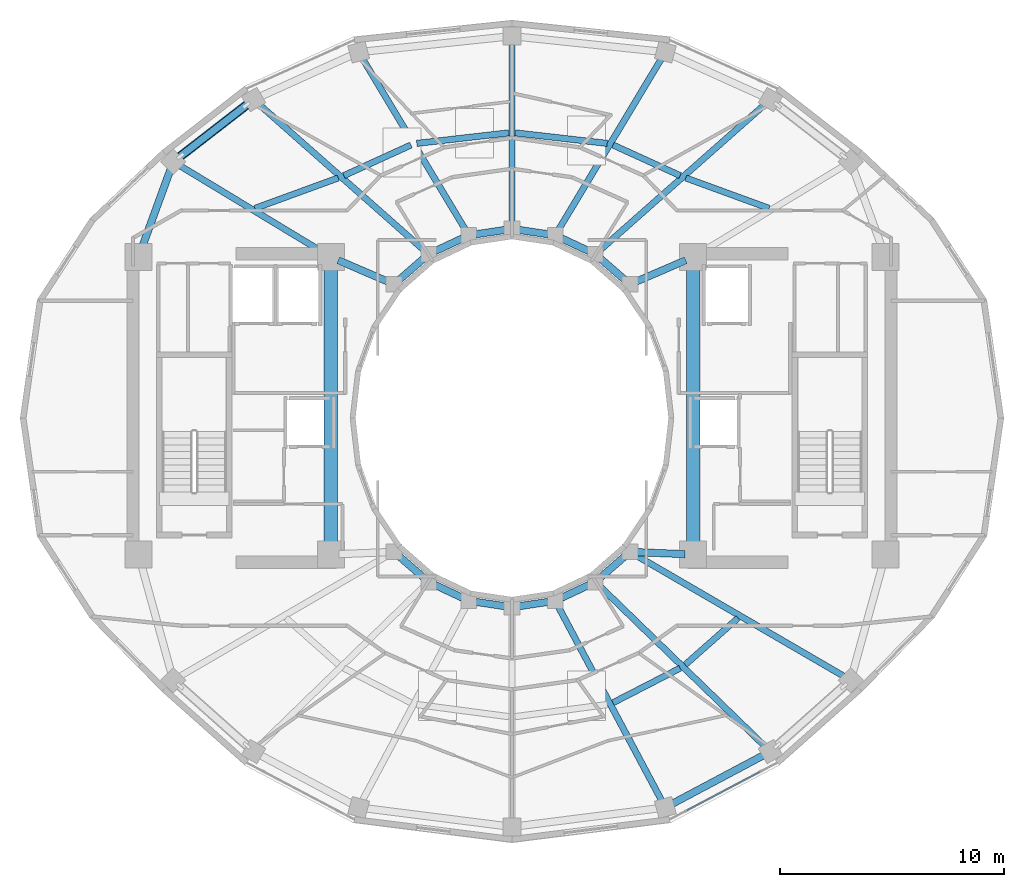
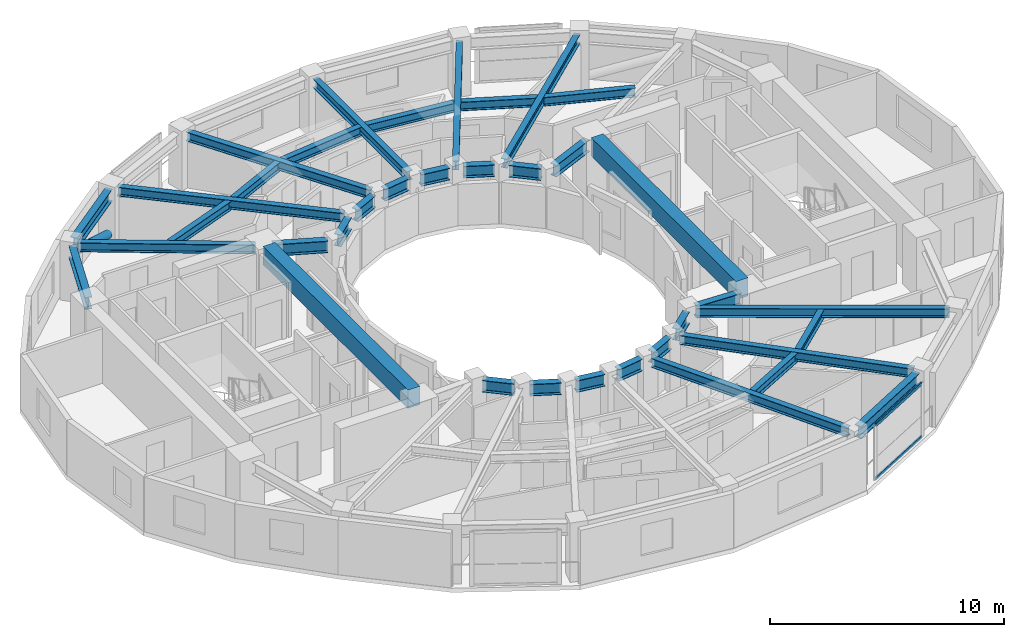
# One storey, part 4 of 16: 37 beams, 3 members, 1 element without a shape of its own.
"""IFC4 building model written with IfcOpenShell, lengths in metres."""

from ifc_helpers import new_model, si_unit, direction, frame, origin, origin_2d, place, context, subcontext, project, spatial, rectangle, hollow_rectangle, hollow_circle, i_section, extrude, material, layer, layer_set, material_profile, profile_set, type_object, element, aggregate, save


model = new_model("IFC4")

# Units and contexts
model_context = context("Model", 3, precision=1e-05, world=origin(), true_north=direction((0.0, 1.0)))
body_context = subcontext(model_context, "Body", "Model", "MODEL_VIEW")
ifc_project = project(units=[si_unit("LENGTHUNIT", "METRE"), si_unit("AREAUNIT", "SQUARE_METRE"), si_unit("VOLUMEUNIT", "CUBIC_METRE"), si_unit("PLANEANGLEUNIT", "RADIAN"), si_unit("MASSUNIT", "GRAM", prefix="KILO")], contexts=[model_context])

# Site, building, storey
site_placement = place(None, origin())
site = spatial("IfcSite", under=ifc_project, at=site_placement, CompositionType="ELEMENT")
building_placement = place(site_placement, origin())
building = spatial("IfcBuilding", under=site, at=building_placement, Name="Solvane Sanctuary Tower", CompositionType="ELEMENT")
storey_placement = place(building_placement, frame((0.0, 0.0, 226.39990234375)))
storey = spatial("IfcBuildingStorey", under=building, at=storey_placement, Name="L69", CompositionType="ELEMENT", Elevation=226.39990234375)

# Beams
ifc_material_1 = material(Name="Concrete C70/85", Category="concrete")
ifc_material_profile_1 = material_profile(ifc_material_1, rectangle(XDim=0.60009765625, YDim=0.949951171875, at=origin_2d()), Name="RC600X950")
ifc_profile_set_1 = profile_set([ifc_material_profile_1], Name="Concrete C70/85")
beam_type_1 = type_object("IfcBeamType", Name="Beam B-COUPLE RC600X950", PredefinedType="LINTEL", material=ifc_profile_set_1)
for number, where, z_axis, x_axis, name in (
    (1, (23.89990234375, 17.35009765625, 2.625), (0.0, 1.0, 0.0), (-1.0, 0.0, 0.0), "L69 West Core Coupling Lintel"),
    (2, (40.10009765625, 17.35009765625, 2.625), (0.0, 1.0, 0.0), (-1.0, 0.0, 0.0), "L69 East Core Coupling Lintel"),
):
    element("IfcBeam", number, at=place(storey_placement, frame(where, z_axis=z_axis, x_axis=x_axis)), inside=storey, type_object=beam_type_1, Name=name, PredefinedType="LINTEL", context=body_context, shape_type="SweptSolid", body=[
        extrude(rectangle(XDim=0.60009765625, YDim=0.949951171875, at=origin_2d()), origin(), (0.0, 0.0, 1.0), 12.39990234375),
    ])
ifc_material_2 = material(Name="Steel ASTM A992 Grade 50", Category="steel")
ifc_material_profile_2 = material_profile(ifc_material_2, i_section(OverallWidth=0.282958984375, OverallDepth=0.471923828125, WebThickness=0.013671875, FlangeThickness=0.022216796875, FilletRadius=0.013916015625, at=origin_2d()), Name="W18X97")
ifc_profile_set_2 = profile_set([ifc_material_profile_2], Name="Steel ASTM A992 Grade 50")
beam_type_2 = type_object("IfcBeamType", Name="Beam B-RAD-Z4 W18X97", PredefinedType="JOIST", material=ifc_profile_set_2)
beam_1_placement = place(storey_placement, frame((35.939697265625, 30.511962890625, 2.64208984375), z_axis=(0.749352461353, 0.662171343886, 0.0), x_axis=(-0.662171343886, 0.749352461353, 0.0)))
element("IfcBeam", 3, at=beam_1_placement, inside=storey, type_object=beam_type_2, Name="L69 Radial Composite Floor Beam 02", PredefinedType="JOIST", context=body_context, shape_type="SweptSolid", body=[
    extrude(i_section(OverallWidth=0.282958984375, OverallDepth=0.471923828125, WebThickness=0.013671875, FlangeThickness=0.022216796875, FilletRadius=0.013916015625, at=origin_2d()), origin(), (0.0, 0.0, 1.0), 9.882568359375),
])
beam_2_placement = place(storey_placement, frame((34.0751953125, 31.41162109375, 2.64208984375), z_axis=(0.515337473432, 0.85698733274, 0.0), x_axis=(-0.85698733274, 0.515337473432, 0.0)))
element("IfcBeam", 4, at=beam_2_placement, inside=storey, type_object=beam_type_2, Name="L69 Radial Composite Floor Beam 03", PredefinedType="JOIST", context=body_context, shape_type="SweptSolid", body=[
    extrude(i_section(OverallWidth=0.282958984375, OverallDepth=0.471923828125, WebThickness=0.013671875, FlangeThickness=0.022216796875, FilletRadius=0.013916015625, at=origin_2d()), origin(), (0.0, 0.0, 1.0), 8.99755859375),
])
beam_3_placement = place(storey_placement, frame((32.0, 31.739990234375, 2.64208984375), z_axis=(0.0, 1.0, 0.0), x_axis=(-1.0, 0.0, 0.0)))
element("IfcBeam", 5, at=beam_3_placement, inside=storey, type_object=beam_type_2, Name="L69 Radial Composite Floor Beam 04", PredefinedType="JOIST", context=body_context, shape_type="SweptSolid", body=[
    extrude(i_section(OverallWidth=0.282958984375, OverallDepth=0.471923828125, WebThickness=0.013671875, FlangeThickness=0.022216796875, FilletRadius=0.013916015625, at=origin_2d()), origin(), (0.0, 0.0, 1.0), 8.06005859375),
])
beam_4_placement = place(storey_placement, frame((29.9248046875, 31.41162109375, 2.64208984375), z_axis=(-0.515337473432, 0.85698733274, 0.0), x_axis=(-0.85698733274, -0.515337473432, 0.0)))
element("IfcBeam", 6, at=beam_4_placement, inside=storey, type_object=beam_type_2, Name="L69 Radial Composite Floor Beam 05", PredefinedType="JOIST", context=body_context, shape_type="SweptSolid", body=[
    extrude(i_section(OverallWidth=0.282958984375, OverallDepth=0.471923828125, WebThickness=0.013671875, FlangeThickness=0.022216796875, FilletRadius=0.013916015625, at=origin_2d()), origin(), (0.0, 0.0, 1.0), 8.99755859375),
])
beam_5_placement = place(storey_placement, frame((28.060302734375, 30.511962890625, 2.64208984375), z_axis=(-0.749352461353, 0.662171343886, 0.0), x_axis=(-0.662171343886, -0.749352461353, 0.0)))
element("IfcBeam", 7, at=beam_5_placement, inside=storey, type_object=beam_type_2, Name="L69 Radial Composite Floor Beam 06", PredefinedType="JOIST", context=body_context, shape_type="SweptSolid", body=[
    extrude(i_section(OverallWidth=0.282958984375, OverallDepth=0.471923828125, WebThickness=0.013671875, FlangeThickness=0.022216796875, FilletRadius=0.013916015625, at=origin_2d()), origin(), (0.0, 0.0, 1.0), 9.882568359375),
])
beam_6_placement = place(storey_placement, frame((23.592041015625, 30.38623046875, 2.64208984375), z_axis=(-0.855612120123, 0.517617522789, 0.0), x_axis=(-0.517617522789, -0.855612120123, 0.0)))
element("IfcBeam", 8, at=beam_6_placement, inside=storey, type_object=beam_type_2, Name="L69 Radial Composite Floor Beam 07", PredefinedType="JOIST", context=body_context, shape_type="SweptSolid", body=[
    extrude(i_section(OverallWidth=0.282958984375, OverallDepth=0.471923828125, WebThickness=0.013671875, FlangeThickness=0.022216796875, FilletRadius=0.013916015625, at=origin_2d()), origin(), (0.0, 0.0, 1.0), 7.59375),
])
beam_7_placement = place(storey_placement, frame((34.0625, 14.581298828125, 2.64208984375), z_axis=(0.470395154587, -0.882455890422, 0.0), x_axis=(0.882455890422, 0.470395154587, 0.0)))
element("IfcBeam", 9, at=beam_7_placement, inside=storey, type_object=beam_type_2, Name="L69 Radial Composite Floor Beam 12", PredefinedType="JOIST", context=body_context, shape_type="SweptSolid", body=[
    extrude(i_section(OverallWidth=0.282958984375, OverallDepth=0.471923828125, WebThickness=0.013671875, FlangeThickness=0.022216796875, FilletRadius=0.013916015625, at=origin_2d()), origin(), (0.0, 0.0, 1.0), 9.91064453125),
])
beam_8_placement = place(storey_placement, frame((35.930908203125, 15.478515625, 2.64208984375), z_axis=(0.717931503288, -0.69611375262, 0.0), x_axis=(0.69611375262, 0.717931503288, 0.0)))
element("IfcBeam", 10, at=beam_8_placement, inside=storey, type_object=beam_type_2, Name="L69 Radial Composite Floor Beam 13", PredefinedType="JOIST", context=body_context, shape_type="SweptSolid", body=[
    extrude(i_section(OverallWidth=0.282958984375, OverallDepth=0.471923828125, WebThickness=0.013671875, FlangeThickness=0.022216796875, FilletRadius=0.013916015625, at=origin_2d()), origin(), (0.0, 0.0, 1.0), 10.339599609375),
])
beam_9_placement = place(storey_placement, frame((37.51708984375, 16.877197265625, 2.64208984375), z_axis=(0.864489234729, -0.502651333469, 0.0), x_axis=(0.502651333469, 0.864489234729, 0.0)))
element("IfcBeam", 11, at=beam_9_placement, inside=storey, type_object=beam_type_2, Name="L69 Radial Composite Floor Beam 14", PredefinedType="JOIST", context=body_context, shape_type="SweptSolid", body=[
    extrude(i_section(OverallWidth=0.282958984375, OverallDepth=0.471923828125, WebThickness=0.013671875, FlangeThickness=0.022216796875, FilletRadius=0.013916015625, at=origin_2d()), origin(), (0.0, 0.0, 1.0), 10.85693359375),
])
ifc_material_profile_3 = material_profile(ifc_material_2, i_section(OverallWidth=0.324951171875, OverallDepth=0.615966796875, WebThickness=0.013916015625, FlangeThickness=0.021484375, FilletRadius=0.01611328125, at=origin_2d()), Name="W24X117")
ifc_profile_set_3 = profile_set([ifc_material_profile_3], Name="Steel ASTM A992 Grade 50")
beam_type_3 = type_object("IfcBeamType", Name="Beam B-RING-IN2 W24X117", PredefinedType="BEAM", material=ifc_profile_set_3)
beam_10_placement = place(storey_placement, frame((24.230712890625, 30.0576171875, 2.570068359375), z_axis=(0.918283854026, -0.395922673554, 0.0), x_axis=(0.395922673554, 0.918283854026, 0.0)))
element("IfcBeam", 12, at=beam_10_placement, inside=storey, type_object=beam_type_3, Name="L69 Inner Light-Well Ring Beam CW3-IC07", PredefinedType="BEAM", context=body_context, shape_type="SweptSolid", body=[
    extrude(i_section(OverallWidth=0.324951171875, OverallDepth=0.615966796875, WebThickness=0.013916015625, FlangeThickness=0.021484375, FilletRadius=0.01611328125, at=origin_2d()), origin(), (0.0, 0.0, 1.0), 2.396240234375),
])
beam_11_placement = place(storey_placement, frame((26.96630859375, 29.192138671875, 2.570068359375), z_axis=(0.754388985763, 0.656427648839, 0.0), x_axis=(-0.656427648839, 0.754388985763, 0.0)))
element("IfcBeam", 13, at=beam_11_placement, inside=storey, type_object=beam_type_3, Name="L69 Inner Light-Well Ring Beam IC07-IC06", PredefinedType="BEAM", context=body_context, shape_type="SweptSolid", body=[
    extrude(i_section(OverallWidth=0.324951171875, OverallDepth=0.615966796875, WebThickness=0.013916015625, FlangeThickness=0.021484375, FilletRadius=0.01611328125, at=origin_2d()), origin(), (0.0, 0.0, 1.0), 1.408203125),
])
beam_12_placement = place(storey_placement, frame((28.5595703125, 30.462646484375, 2.570068359375), z_axis=(0.905134542189, 0.425125229241, 0.0), x_axis=(-0.425125229241, 0.905134542189, 0.0)))
element("IfcBeam", 14, at=beam_12_placement, inside=storey, type_object=beam_type_3, Name="L69 Inner Light-Well Ring Beam IC06-IC05", PredefinedType="BEAM", context=body_context, shape_type="SweptSolid", body=[
    extrude(i_section(OverallWidth=0.324951171875, OverallDepth=0.615966796875, WebThickness=0.013916015625, FlangeThickness=0.021484375, FilletRadius=0.01611328125, at=origin_2d()), origin(), (0.0, 0.0, 1.0), 1.347900390625),
])
for number, where, z_axis, x_axis, name in (
    (15, (30.3857421875, 31.218994140625, 2.570068359375), (0.989056121481, 0.147539786368, 0.0), (-0.147539786368, 0.989056121481, 0.0), "L69 Inner Light-Well Ring Beam IC05-IC04"),
    (16, (32.31640625, 31.41259765625, 2.570068359375), (0.989056121481, -0.147539786368, 0.0), (0.147539786368, 0.989056121481, 0.0), "L69 Inner Light-Well Ring Beam IC04-IC03"),
):
    element("IfcBeam", number, at=place(storey_placement, frame(where, z_axis=z_axis, x_axis=x_axis)), inside=storey, type_object=beam_type_3, Name=name, PredefinedType="BEAM", context=body_context, shape_type="SweptSolid", body=[
        extrude(i_section(OverallWidth=0.324951171875, OverallDepth=0.615966796875, WebThickness=0.013916015625, FlangeThickness=0.021484375, FilletRadius=0.01611328125, at=origin_2d()), origin(), (0.0, 0.0, 1.0), 1.312255859375),
    ])
beam_13_placement = place(storey_placement, frame((34.220458984375, 31.03564453125, 2.570068359375), z_axis=(0.905134542189, -0.425125229241, 0.0), x_axis=(0.425125229241, 0.905134542189, 0.0)))
element("IfcBeam", 17, at=beam_13_placement, inside=storey, type_object=beam_type_3, Name="L69 Inner Light-Well Ring Beam IC03-IC02", PredefinedType="BEAM", context=body_context, shape_type="SweptSolid", body=[
    extrude(i_section(OverallWidth=0.324951171875, OverallDepth=0.615966796875, WebThickness=0.013916015625, FlangeThickness=0.021484375, FilletRadius=0.01611328125, at=origin_2d()), origin(), (0.0, 0.0, 1.0), 1.347900390625),
])
beam_14_placement = place(storey_placement, frame((35.971435546875, 30.116455078125, 2.570068359375), z_axis=(0.754388985763, -0.656427648839, 0.0), x_axis=(0.656427648839, 0.754388985763, 0.0)))
element("IfcBeam", 18, at=beam_14_placement, inside=storey, type_object=beam_type_3, Name="L69 Inner Light-Well Ring Beam IC02-IC01", PredefinedType="BEAM", context=body_context, shape_type="SweptSolid", body=[
    extrude(i_section(OverallWidth=0.324951171875, OverallDepth=0.615966796875, WebThickness=0.013916015625, FlangeThickness=0.021484375, FilletRadius=0.01611328125, at=origin_2d()), origin(), (0.0, 0.0, 1.0), 1.408203125),
])
beam_15_placement = place(storey_placement, frame((37.56884765625, 29.10888671875, 2.570068359375), z_axis=(0.918283854026, 0.395922673554, 0.0), x_axis=(-0.395922673554, 0.918283854026, 0.0)))
element("IfcBeam", 19, at=beam_15_placement, inside=storey, type_object=beam_type_3, Name="L69 Inner Light-Well Ring Beam IC01-CE4", PredefinedType="BEAM", context=body_context, shape_type="SweptSolid", body=[
    extrude(i_section(OverallWidth=0.324951171875, OverallDepth=0.615966796875, WebThickness=0.013916015625, FlangeThickness=0.021484375, FilletRadius=0.01611328125, at=origin_2d()), origin(), (0.0, 0.0, 1.0), 2.396240234375),
])
beam_16_placement = place(storey_placement, frame((26.96630859375, 16.807861328125, 2.570068359375), z_axis=(0.754388985763, -0.656427648839, 0.0), x_axis=(0.656427648839, 0.754388985763, 0.0)))
element("IfcBeam", 20, at=beam_16_placement, inside=storey, type_object=beam_type_3, Name="L69 Inner Light-Well Ring Beam IC08-IC09", PredefinedType="BEAM", context=body_context, shape_type="SweptSolid", body=[
    extrude(i_section(OverallWidth=0.324951171875, OverallDepth=0.615966796875, WebThickness=0.013916015625, FlangeThickness=0.021484375, FilletRadius=0.01611328125, at=origin_2d()), origin(), (0.0, 0.0, 1.0), 1.408203125),
])
beam_17_placement = place(storey_placement, frame((28.5595703125, 15.537353515625, 2.570068359375), z_axis=(0.905134542189, -0.425125229241, 0.0), x_axis=(0.425125229241, 0.905134542189, 0.0)))
element("IfcBeam", 21, at=beam_17_placement, inside=storey, type_object=beam_type_3, Name="L69 Inner Light-Well Ring Beam IC09-IC10", PredefinedType="BEAM", context=body_context, shape_type="SweptSolid", body=[
    extrude(i_section(OverallWidth=0.324951171875, OverallDepth=0.615966796875, WebThickness=0.013916015625, FlangeThickness=0.021484375, FilletRadius=0.01611328125, at=origin_2d()), origin(), (0.0, 0.0, 1.0), 1.347900390625),
])
for number, where, z_axis, x_axis, name in (
    (22, (30.3857421875, 14.781005859375, 2.570068359375), (0.989056121481, -0.147539786368, 0.0), (0.147539786368, 0.989056121481, 0.0), "L69 Inner Light-Well Ring Beam IC10-IC11"),
    (23, (32.31640625, 14.58740234375, 2.570068359375), (0.989056121481, 0.147539786368, 0.0), (-0.147539786368, 0.989056121481, 0.0), "L69 Inner Light-Well Ring Beam IC11-IC12"),
):
    element("IfcBeam", number, at=place(storey_placement, frame(where, z_axis=z_axis, x_axis=x_axis)), inside=storey, type_object=beam_type_3, Name=name, PredefinedType="BEAM", context=body_context, shape_type="SweptSolid", body=[
        extrude(i_section(OverallWidth=0.324951171875, OverallDepth=0.615966796875, WebThickness=0.013916015625, FlangeThickness=0.021484375, FilletRadius=0.01611328125, at=origin_2d()), origin(), (0.0, 0.0, 1.0), 1.312255859375),
    ])
beam_18_placement = place(storey_placement, frame((34.220458984375, 14.96435546875, 2.570068359375), z_axis=(0.905134542189, 0.425125229241, 0.0), x_axis=(-0.425125229241, 0.905134542189, 0.0)))
element("IfcBeam", 24, at=beam_18_placement, inside=storey, type_object=beam_type_3, Name="L69 Inner Light-Well Ring Beam IC12-IC13", PredefinedType="BEAM", context=body_context, shape_type="SweptSolid", body=[
    extrude(i_section(OverallWidth=0.324951171875, OverallDepth=0.615966796875, WebThickness=0.013916015625, FlangeThickness=0.021484375, FilletRadius=0.01611328125, at=origin_2d()), origin(), (0.0, 0.0, 1.0), 1.347900390625),
])
beam_19_placement = place(storey_placement, frame((35.971435546875, 15.883544921875, 2.570068359375), z_axis=(0.754388985763, 0.656427648839, 0.0), x_axis=(-0.656427648839, 0.754388985763, 0.0)))
element("IfcBeam", 25, at=beam_19_placement, inside=storey, type_object=beam_type_3, Name="L69 Inner Light-Well Ring Beam IC13-IC14", PredefinedType="BEAM", context=body_context, shape_type="SweptSolid", body=[
    extrude(i_section(OverallWidth=0.324951171875, OverallDepth=0.615966796875, WebThickness=0.013916015625, FlangeThickness=0.021484375, FilletRadius=0.01611328125, at=origin_2d()), origin(), (0.0, 0.0, 1.0), 1.408203125),
])
beam_20_placement = place(storey_placement, frame((37.5947265625, 17.004638671875, 2.570068359375), z_axis=(0.999129127803, -0.041725124022, 0.0), x_axis=(0.041725124022, 0.999129127803, 0.0)))
element("IfcBeam", 26, at=beam_20_placement, inside=storey, type_object=beam_type_3, Name="L69 Inner Light-Well Ring Beam IC14-CE1", PredefinedType="BEAM", context=body_context, shape_type="SweptSolid", body=[
    extrude(i_section(OverallWidth=0.324951171875, OverallDepth=0.615966796875, WebThickness=0.013916015625, FlangeThickness=0.021484375, FilletRadius=0.01611328125, at=origin_2d()), origin(), (0.0, 0.0, 1.0), 2.1474609375),
])
ifc_material_profile_4 = material_profile(ifc_material_2, i_section(OverallWidth=0.280029296875, OverallDepth=0.462890625, WebThickness=0.0107421875, FlangeThickness=0.017333984375, FilletRadius=0.013916015625, at=origin_2d()), Name="W18X76")
ifc_profile_set_4 = profile_set([ifc_material_profile_4], Name="Steel ASTM A992 Grade 50")
beam_type_4 = type_object("IfcBeamType", Name="Beam B-SEC-JOIST W18X76", PredefinedType="JOIST", material=ifc_profile_set_4)
beam_21_placement = place(storey_placement, frame((20.505615234375, 32.377685546875, 2.646484375), z_axis=(0.939341257695, 0.342983966962, 0.0), x_axis=(-0.342983966962, 0.939341257695, 0.0)))
element("IfcBeam", 27, at=beam_21_placement, inside=storey, type_object=beam_type_4, Name="L69 Secondary Circumferential Joist 07-06", PredefinedType="JOIST", context=body_context, shape_type="SweptSolid", body=[
    extrude(i_section(OverallWidth=0.280029296875, OverallDepth=0.462890625, WebThickness=0.0107421875, FlangeThickness=0.017333984375, FilletRadius=0.013916015625, at=origin_2d()), origin(), (0.0, 0.0, 1.0), 3.964111328125),
])
beam_22_placement = place(storey_placement, frame((24.481689453125, 33.8408203125, 2.646484375), z_axis=(0.909746959611, 0.415163184156, 0.0), x_axis=(-0.415163184156, 0.909746959611, 0.0)))
element("IfcBeam", 28, at=beam_22_placement, inside=storey, type_object=beam_type_4, Name="L69 Secondary Circumferential Joist 06-05", PredefinedType="JOIST", context=body_context, shape_type="SweptSolid", body=[
    extrude(i_section(OverallWidth=0.280029296875, OverallDepth=0.462890625, WebThickness=0.0107421875, FlangeThickness=0.017333984375, FilletRadius=0.013916015625, at=origin_2d()), origin(), (0.0, 0.0, 1.0), 3.29833984375),
])
for number, where, z_axis, x_axis, name in (
    (29, (27.7421875, 35.282470703125, 2.646484375), (0.993510844231, 0.113737427415, 0.0), (-0.113737427415, 0.993510844231, 0.0), "L69 Secondary Circumferential Joist 05-04"),
    (30, (32.135498046875, 35.75439453125, 2.646484375), (0.993510844231, -0.113737427415, 0.0), (0.113737427415, 0.993510844231, 0.0), "L69 Secondary Circumferential Joist 04-03"),
):
    element("IfcBeam", number, at=place(storey_placement, frame(where, z_axis=z_axis, x_axis=x_axis)), inside=storey, type_object=beam_type_4, Name=name, PredefinedType="JOIST", context=body_context, shape_type="SweptSolid", body=[
        extrude(i_section(OverallWidth=0.280029296875, OverallDepth=0.462890625, WebThickness=0.0107421875, FlangeThickness=0.017333984375, FilletRadius=0.013916015625, at=origin_2d()), origin(), (0.0, 0.0, 1.0), 4.149169921875),
    ])
beam_23_placement = place(storey_placement, frame((36.517578125, 35.210205078125, 2.646484375), z_axis=(0.909746959611, -0.415163184156, 0.0), x_axis=(0.415163184156, 0.909746959611, 0.0)))
element("IfcBeam", 31, at=beam_23_placement, inside=storey, type_object=beam_type_4, Name="L69 Secondary Circumferential Joist 03-02", PredefinedType="JOIST", context=body_context, shape_type="SweptSolid", body=[
    extrude(i_section(OverallWidth=0.280029296875, OverallDepth=0.462890625, WebThickness=0.0107421875, FlangeThickness=0.017333984375, FilletRadius=0.013916015625, at=origin_2d()), origin(), (0.0, 0.0, 1.0), 3.29833984375),
])
beam_24_placement = place(storey_placement, frame((39.770751953125, 33.7373046875, 2.646484375), z_axis=(0.939341257695, -0.342983966962, 0.0), x_axis=(0.342983966962, 0.939341257695, 0.0)))
element("IfcBeam", 32, at=beam_24_placement, inside=storey, type_object=beam_type_4, Name="L69 Secondary Circumferential Joist 02-01", PredefinedType="JOIST", context=body_context, shape_type="SweptSolid", body=[
    extrude(i_section(OverallWidth=0.280029296875, OverallDepth=0.462890625, WebThickness=0.0107421875, FlangeThickness=0.017333984375, FilletRadius=0.013916015625, at=origin_2d()), origin(), (0.0, 0.0, 1.0), 3.964111328125),
])
beam_25_placement = place(storey_placement, frame((36.514892578125, 10.27099609375, 2.646484375), z_axis=(0.88924080122, 0.4574393921, 0.0), x_axis=(-0.4574393921, 0.88924080122, 0.0)))
element("IfcBeam", 33, at=beam_25_placement, inside=storey, type_object=beam_type_4, Name="L69 Secondary Circumferential Joist 12-13", PredefinedType="JOIST", context=body_context, shape_type="SweptSolid", body=[
    extrude(i_section(OverallWidth=0.280029296875, OverallDepth=0.462890625, WebThickness=0.0107421875, FlangeThickness=0.017333984375, FilletRadius=0.013916015625, at=origin_2d()), origin(), (0.0, 0.0, 1.0), 3.380615234375),
])
beam_26_placement = place(storey_placement, frame((39.744873046875, 11.97021484375, 2.646484375), z_axis=(0.749354102876, 0.662169486236, 0.0), x_axis=(-0.662169486236, 0.749354102876, 0.0)))
element("IfcBeam", 34, at=beam_26_placement, inside=storey, type_object=beam_type_4, Name="L69 Secondary Circumferential Joist 13-14", PredefinedType="JOIST", context=body_context, shape_type="SweptSolid", body=[
    extrude(i_section(OverallWidth=0.280029296875, OverallDepth=0.462890625, WebThickness=0.0107421875, FlangeThickness=0.017333984375, FilletRadius=0.013916015625, at=origin_2d()), origin(), (0.0, 0.0, 1.0), 3.153076171875),
])
ifc_material_profile_5 = material_profile(ifc_material_2, i_section(OverallWidth=0.327880859375, OverallDepth=0.6279296875, WebThickness=0.0166015625, FlangeThickness=0.027587890625, FilletRadius=0.01611328125, at=origin_2d()), Name="W24X146")
ifc_profile_set_5 = profile_set([ifc_material_profile_5], Name="Steel ASTM A992 Grade 50")
beam_type_5 = type_object("IfcBeamType", Name="Beam B-SPAND-Z3 W24X146", PredefinedType="SPANDREL", material=ifc_profile_set_5)
beam_27_placement = place(storey_placement, frame((15.39599609375, 30.462890625, 2.564208984375), z_axis=(0.34275337431, 0.939425422478, 0.0), x_axis=(-0.939425422478, 0.34275337431, 0.0)))
element("IfcBeam", 35, at=beam_27_placement, inside=storey, type_object=beam_type_5, Name="L69 Perimeter Spandrel Beam CW4-TC07", PredefinedType="SPANDREL", context=body_context, shape_type="SweptSolid", body=[
    extrude(i_section(OverallWidth=0.327880859375, OverallDepth=0.6279296875, WebThickness=0.0166015625, FlangeThickness=0.027587890625, FilletRadius=0.01611328125, at=origin_2d()), origin(), (0.0, 0.0, 1.0), 3.976806640625),
])
beam_28_placement = place(storey_placement, frame((17.076416015625, 34.633056640625, 2.564208984375), z_axis=(0.79064516309, 0.612274632891, 0.0), x_axis=(-0.612274632891, 0.79064516309, 0.0)))
element("IfcBeam", 36, at=beam_28_placement, inside=storey, type_object=beam_type_5, Name="L69 Perimeter Spandrel Beam TC07-TC06", PredefinedType="SPANDREL", context=body_context, shape_type="SweptSolid", body=[
    extrude(i_section(OverallWidth=0.327880859375, OverallDepth=0.6279296875, WebThickness=0.0166015625, FlangeThickness=0.027587890625, FilletRadius=0.01611328125, at=origin_2d()), origin(), (0.0, 0.0, 1.0), 3.980224609375),
])
beam_29_placement = place(storey_placement, frame((39.103271484375, 5.72021484375, 2.564208984375), z_axis=(0.883034715026, 0.46930767313, 0.0), x_axis=(-0.46930767313, 0.883034715026, 0.0)))
element("IfcBeam", 37, at=beam_29_placement, inside=storey, type_object=beam_type_5, Name="L69 Perimeter Spandrel Beam TC12-TC13", PredefinedType="SPANDREL", context=body_context, shape_type="SweptSolid", body=[
    extrude(i_section(OverallWidth=0.327880859375, OverallDepth=0.6279296875, WebThickness=0.0166015625, FlangeThickness=0.027587890625, FilletRadius=0.01611328125, at=origin_2d()), origin(), (0.0, 0.0, 1.0), 4.761474609375),
])

# Curtain wall, members
ifc_material_3 = material(Name="Anodised Aluminium 6063-T6", Category="aluminium")
ifc_layer = layer(ifc_material_3, 0.18994140625, Name="Anodised Aluminium 6063-T6")
ifc_layer_set = layer_set([ifc_layer], Name="Anodised Aluminium 6063-T6")
curtain_wall_type = type_object("IfcCurtainWallType", Name="Curtain Wall CW-OPER", PredefinedType="NOTDEFINED", material=ifc_layer_set)
curtain_wall_placement = place(storey_placement, origin())
curtain_wall = element("IfcCurtainWall", 38, at=curtain_wall_placement, inside=storey, type_object=curtain_wall_type, Name="L69 CW-OPER Facade Run 19", PredefinedType="NOTDEFINED")
ifc_material_profile_6 = material_profile(ifc_material_3, hollow_rectangle(XDim=0.06494140625, YDim=0.159912109375, WallThickness=0.00341796875, at=origin_2d()), Name="ALU160X65X3.5")
ifc_profile_set_6 = profile_set([ifc_material_profile_6], Name="Anodised Aluminium 6063-T6")
member_type_1 = type_object("IfcMemberType", Name="Member M-CW-TRN-1 ALU160X65X3.5", PredefinedType="USERDEFINED", material=ifc_profile_set_6)
member_1_placement = place(storey_placement, frame((39.834228515625, 5.466552734375, 0.03271484375), z_axis=(0.883977140568, 0.467530121975, 0.0), x_axis=(-0.467530121975, 0.883977140568, 0.0)))
member_1 = element("IfcMember", 39, at=member_1_placement, type_object=member_type_1, Name="CW-OPER transom 1.1", ObjectType="TRANSOM", PredefinedType="USERDEFINED", context=body_context, shape_type="SweptSolid", body=[
    extrude(hollow_rectangle(XDim=0.06494140625, YDim=0.159912109375, WallThickness=0.00341796875, at=origin_2d()), origin(), (0.0, 0.0, 1.0), 3.67041015625),
])
member_2_placement = place(storey_placement, frame((39.834228515625, 5.466552734375, 2.8076171875), z_axis=(0.883977140568, 0.467530121975, 0.0), x_axis=(-0.467530121975, 0.883977140568, 0.0)))
member_2 = element("IfcMember", 40, at=member_2_placement, type_object=member_type_1, Name="CW-OPER transom 1.2", ObjectType="TRANSOM", PredefinedType="USERDEFINED", context=body_context, shape_type="SweptSolid", body=[
    extrude(hollow_rectangle(XDim=0.06494140625, YDim=0.159912109375, WallThickness=0.00341796875, at=origin_2d()), origin(), (0.0, 0.0, 1.0), 3.67041015625),
])
aggregate(curtain_wall, [member_1, member_2])

# Member
ifc_material_profile_7 = material_profile(ifc_material_2, hollow_circle(Radius=0.202880859375, WallThickness=0.012451171875, at=origin_2d()), Name="CHS406X12.5")
ifc_profile_set_7 = profile_set([ifc_material_profile_7], Name="Steel ASTM A992 Grade 50")
member_type_2 = type_object("IfcMemberType", Name="Member M-TUBE-Z3 CHS406X12.5", PredefinedType="BRACE", material=ifc_profile_set_7)
member_3_placement = place(storey_placement, frame((20.118408203125, 36.988525390625, 0.55029296875), z_axis=(-0.731107007781, -0.566120263028, 0.380776037799), x_axis=(0.612242116954, -0.790670342322, 0.0)))
element("IfcMember", 41, at=member_3_placement, inside=storey, type_object=member_type_2, Name="L69 Perimeter Braced-Tube Diagonal NW", PredefinedType="BRACE", context=body_context, shape_type="SweptSolid", body=[
    extrude(hollow_circle(Radius=0.202880859375, WallThickness=0.012451171875, at=origin_2d()), origin(), (0.0, 0.0, 1.0), 4.017578125),
])

save(model, "model.ifc")
